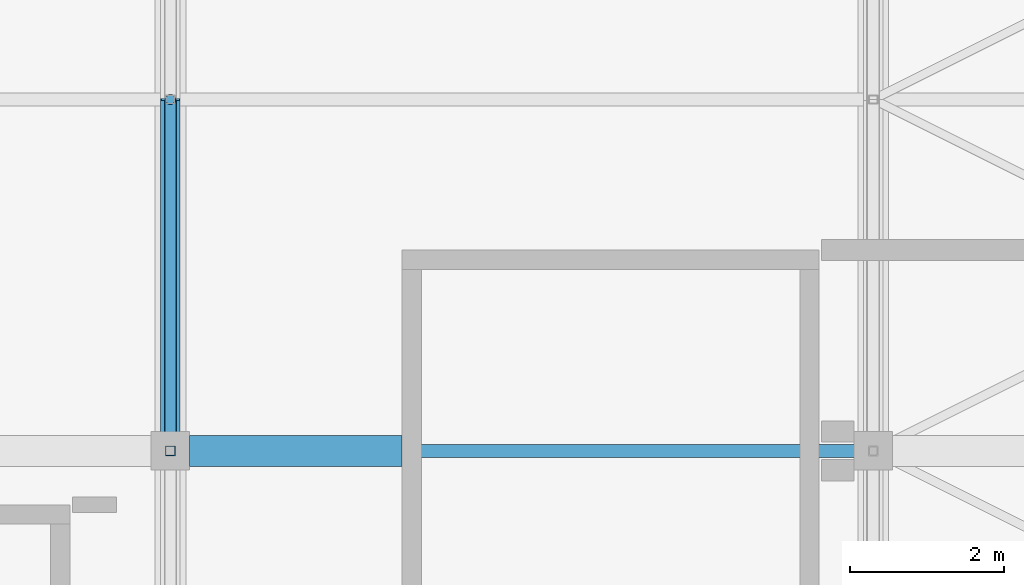
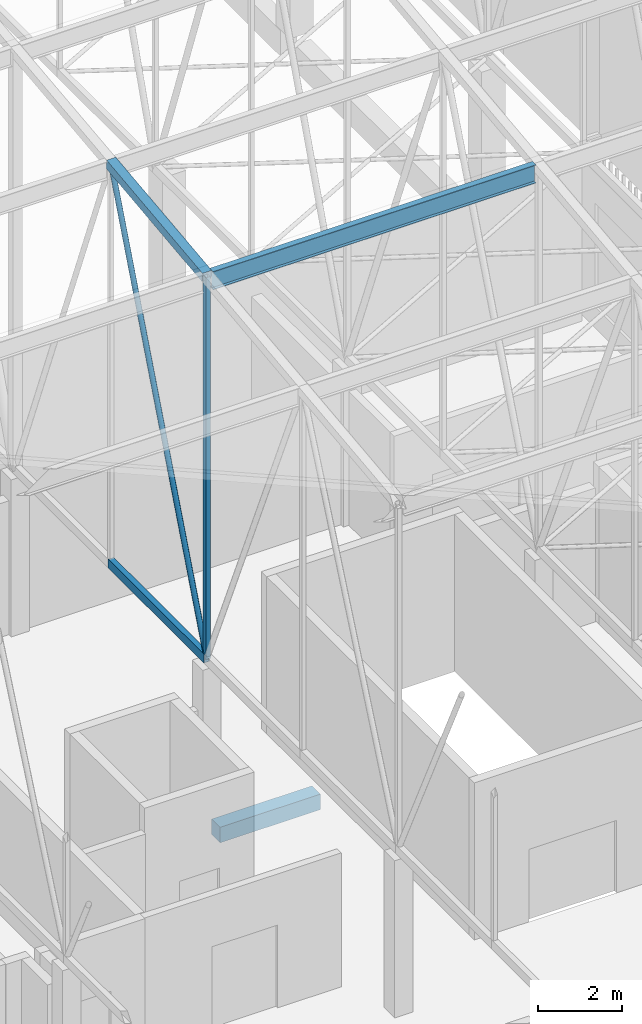
# One storey, part 349 of 500: 5 members, 1 beam.
"""IFC4 building model written with IfcOpenShell, lengths in metres."""

from ifc_helpers import new_model, si_unit, direction, frame, origin, origin_2d, place, context, subcontext, project, spatial, rectangle, hollow_rectangle, hollow_circle, i_section, extrude, material, material_profile, profile_set, type_object, element, save


model = new_model("IFC4")

# Units and contexts
model_context = context("Model", 3, precision=1e-05, world=origin(), true_north=direction((0.0, 1.0)))
body_context = subcontext(model_context, "Body", "Model", "MODEL_VIEW")
ifc_project = project(units=[si_unit("LENGTHUNIT", "METRE"), si_unit("AREAUNIT", "SQUARE_METRE"), si_unit("VOLUMEUNIT", "CUBIC_METRE"), si_unit("PLANEANGLEUNIT", "RADIAN"), si_unit("MASSUNIT", "GRAM", prefix="KILO")], contexts=[model_context])

# Site, building, storey
site_placement = place(None, origin())
site = spatial("IfcSite", under=ifc_project, at=site_placement, CompositionType="ELEMENT")
building_placement = place(site_placement, origin())
building = spatial("IfcBuilding", under=site, at=building_placement, Name="Shirokan Park Arena", CompositionType="ELEMENT")
storey_placement = place(building_placement, frame((0.0, 0.0, 29.1201171875)))
storey = spatial("IfcBuildingStorey", under=building, at=storey_placement, Name="L06", CompositionType="ELEMENT", Elevation=29.1201171875)

# Members
ifc_material_1 = material(Name="Steel ASTM A500 Grade C", Category="steel")
ifc_material_profile_1 = material_profile(ifc_material_1, hollow_rectangle(XDim=0.152099609375, YDim=0.25390625, WallThickness=0.009521484375, at=origin_2d()), Name="HSS254X152.4X9.5")
ifc_profile_set_1 = profile_set([ifc_material_profile_1], Name="Steel ASTM A500 Grade C")
member_type_1 = type_object("IfcMemberType", Name="Bottom chord HSS254X152.4X9.5", PredefinedType="CHORD", material=ifc_profile_set_1)
member_1_placement = place(storey_placement, frame((127.39990234375, 27.300048828125, 4.677001953125), z_axis=(0.0, 1.0, 0.0), x_axis=(-1.0, 0.0, 0.0)))
element("IfcMember", 1, at=member_1_placement, inside=storey, type_object=member_type_1, Name="Truss T15 bottom chord 9", PredefinedType="CHORD", context=body_context, shape_type="SweptSolid", body=[
    extrude(hollow_rectangle(XDim=0.152099609375, YDim=0.25390625, WallThickness=0.009521484375, at=origin_2d()), origin(), (0.0, 0.0, 1.0), 4.550048828125),
])
ifc_material_2 = material(Name="Steel ASTM A992", Category="steel")
ifc_material_profile_2 = material_profile(ifc_material_2, i_section(OverallWidth=0.166015625, OverallDepth=0.528076171875, WebThickness=0.009765625, FlangeThickness=0.013671875, at=origin_2d()), Name="W530X74")
ifc_profile_set_2 = profile_set([ifc_material_profile_2], Name="Steel ASTM A992")
member_type_2 = type_object("IfcMemberType", Name="Purlin W530X74", PredefinedType="PURLIN", material=ifc_profile_set_2)
member_2_placement = place(storey_placement, frame((127.527099609375, 27.300048828125, 15.60595703125), z_axis=(1.0, 0.0, 0.0), x_axis=(0.0, 1.0, 0.0)))
element("IfcMember", 2, at=member_2_placement, inside=storey, type_object=member_type_2, Name="Purlin 9 bay 15", PredefinedType="PURLIN", context=body_context, shape_type="SweptSolid", body=[
    extrude(i_section(OverallWidth=0.166015625, OverallDepth=0.528076171875, WebThickness=0.009765625, FlangeThickness=0.013671875, at=origin_2d()), origin(), (0.0, 0.0, 1.0), 8.845947265625),
])

# Beam
ifc_material_3 = material(Name="Concrete C35", Category="concrete")
ifc_material_profile_3 = material_profile(ifc_material_3, rectangle(XDim=0.39990234375, YDim=0.449951171875, at=origin_2d()), Name="400x450")
ifc_profile_set_3 = profile_set([ifc_material_profile_3], Name="Concrete C35")
beam_type = type_object("IfcBeamType", Name="RC trimmer 400x450", PredefinedType="BEAM", material=ifc_profile_set_3)
beam_placement = place(storey_placement, frame((127.650146484375, 27.300048828125, -0.425048828125), z_axis=(1.0, 0.0, 0.0), x_axis=(0.0, 1.0, 0.0)))
element("IfcBeam", 3, at=beam_placement, inside=storey, type_object=beam_type, Name="Girder 15D-16D L06", PredefinedType="BEAM", context=body_context, shape_type="SweptSolid", body=[
    extrude(rectangle(XDim=0.39990234375, YDim=0.449951171875, at=origin_2d()), origin(), (0.0, 0.0, 1.0), 2.749755859375),
])

# Members
ifc_material_profile_4 = material_profile(ifc_material_1, hollow_rectangle(XDim=0.25390625, YDim=0.25390625, WallThickness=0.009521484375, at=origin_2d()), Name="HSS254X254X9.5")
ifc_profile_set_4 = profile_set([ifc_material_profile_4], Name="Steel ASTM A500 Grade C")
member_type_3 = type_object("IfcMemberType", Name="Top chord HSS254X254X9.5", PredefinedType="CHORD", material=ifc_profile_set_4)
member_3_placement = place(storey_placement, frame((127.39990234375, 27.300048828125, 15.742919921875), z_axis=(0.0, 0.993532328996, 0.113549598152), x_axis=(-1.0, 0.0, 0.0)))
element("IfcMember", 4, at=member_3_placement, inside=storey, type_object=member_type_3, Name="Truss T15 top chord 9", PredefinedType="CHORD", context=body_context, shape_type="SweptSolid", body=[
    extrude(hollow_rectangle(XDim=0.25390625, YDim=0.25390625, WallThickness=0.009521484375, at=origin_2d()), origin(), (0.0, 0.0, 1.0), 4.57958984375),
])
ifc_material_profile_5 = material_profile(ifc_material_1, hollow_circle(Radius=0.070556640625, WallThickness=0.006591796875, at=origin_2d()), Name="HSS141.3X6.6")
ifc_profile_set_5 = profile_set([ifc_material_profile_5], Name="Steel ASTM A500 Grade C")
member_type_4 = type_object("IfcMemberType", Name="Truss diagonal HSS141.3X6.6", PredefinedType="BRACE", material=ifc_profile_set_5)
member_4_placement = place(storey_placement, frame((127.39990234375, 27.300048828125, 4.677001953125), z_axis=(0.0, 0.365543139237, 0.930794399079), x_axis=(-1.0, 0.0, 0.0)))
element("IfcMember", 5, at=member_4_placement, inside=storey, type_object=member_type_4, Name="Truss T15 diagonal 9", PredefinedType="BRACE", context=body_context, shape_type="SweptSolid", body=[
    extrude(hollow_circle(Radius=0.070556640625, WallThickness=0.006591796875, at=origin_2d()), origin(), (0.0, 0.0, 1.0), 12.447265625),
])
ifc_material_profile_6 = material_profile(ifc_material_1, hollow_rectangle(XDim=0.126953125, YDim=0.126953125, WallThickness=0.008056640625, at=origin_2d()), Name="HSS127X127X7.9")
ifc_profile_set_6 = profile_set([ifc_material_profile_6], Name="Steel ASTM A500 Grade C")
member_type_5 = type_object("IfcMemberType", Name="Truss post HSS127X127X7.9", PredefinedType="POST", material=ifc_profile_set_6)
member_5_placement = place(storey_placement, frame((127.39990234375, 27.300048828125, 4.677001953125), z_axis=(0.0, 0.0, 1.0), x_axis=(1.0, 0.0, 0.0)))
element("IfcMember", 6, at=member_5_placement, inside=storey, type_object=member_type_5, Name="Truss T15 post 9", PredefinedType="POST", context=body_context, shape_type="SweptSolid", body=[
    extrude(hollow_rectangle(XDim=0.126953125, YDim=0.126953125, WallThickness=0.008056640625, at=origin_2d()), origin(), (0.0, 0.0, 1.0), 11.06591796875),
])

save(model, "model.ifc")
